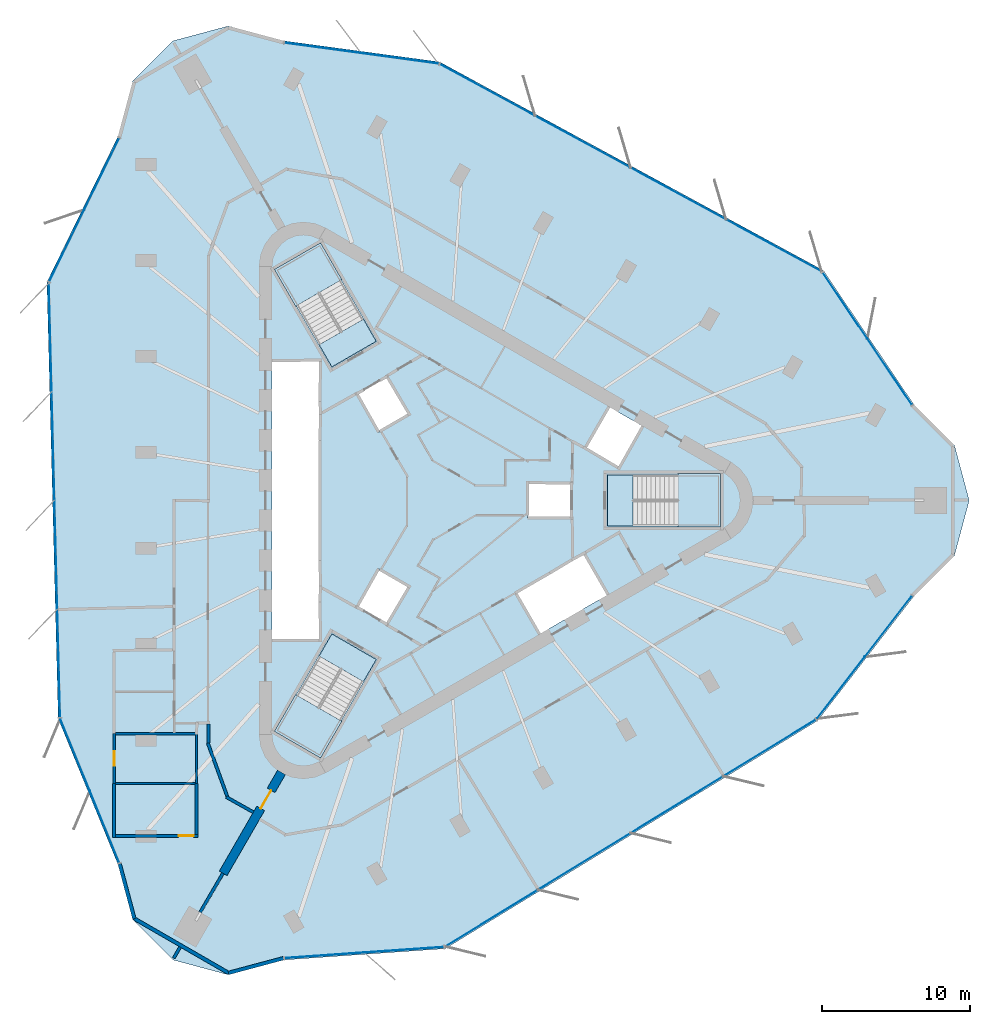
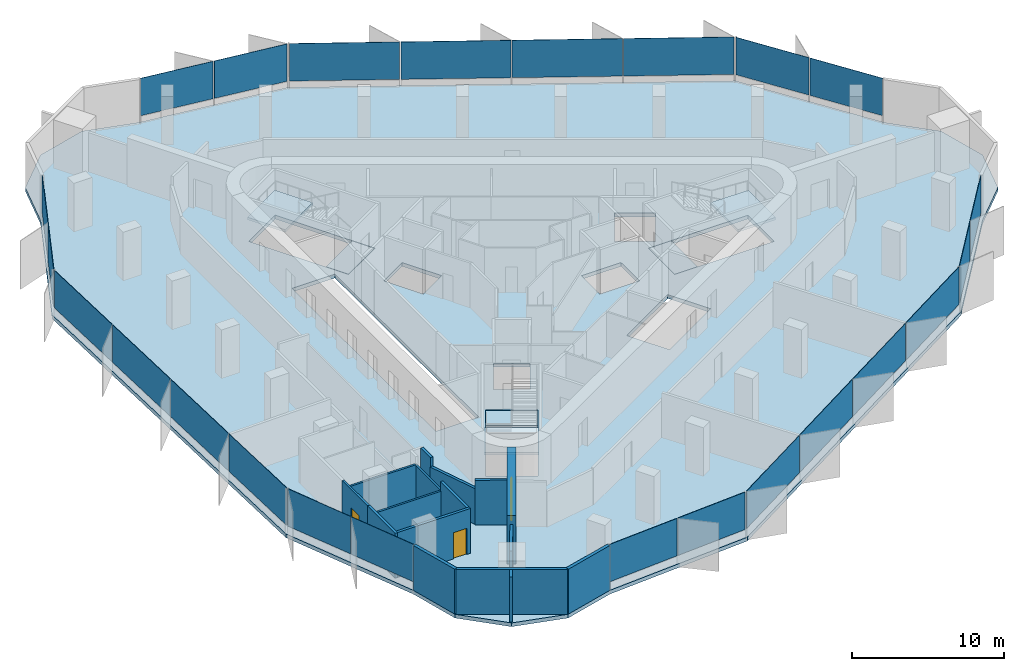
# One storey, part 6 of 12: 24 plates, 16 walls, 7 slabs, 3 doors, 3 openings, 12 elements without a shape of their own.
"""IFC4 building model written with IfcOpenShell, lengths in metres."""

from ifc_helpers import new_model, si_unit, direction, frame, frame_2d, origin, origin_2d, place, context, subcontext, project, spatial, polyline, rectangle, outline, extrude, material, layer, layer_set, type_object, element, fill, aggregate, save


model = new_model("IFC4")

# Units and contexts
model_context = context("Model", 3, precision=1e-05, world=origin(), true_north=direction((0.0, 1.0)))
body_context = subcontext(model_context, "Body", "Model", "MODEL_VIEW")
ifc_project = project(units=[si_unit("LENGTHUNIT", "METRE"), si_unit("AREAUNIT", "SQUARE_METRE"), si_unit("VOLUMEUNIT", "CUBIC_METRE"), si_unit("PLANEANGLEUNIT", "RADIAN"), si_unit("MASSUNIT", "GRAM", prefix="KILO")], contexts=[model_context])

# Site, building, storey
site_placement = place(None, origin())
site = spatial("IfcSite", under=ifc_project, at=site_placement, CompositionType="ELEMENT")
building_placement = place(site_placement, origin())
building = spatial("IfcBuilding", under=site, at=building_placement, Name="Tanit Gate Tower", CompositionType="ELEMENT")
storey_placement = place(building_placement, frame((0.0, 0.0, 345.5)))
storey = spatial("IfcBuildingStorey", under=building, at=storey_placement, Name="L78", CompositionType="ELEMENT", Elevation=345.5)

# Slab
ifc_material_1 = material(Name="Concrete C35/45", Category="concrete")
ifc_layer_1 = layer(ifc_material_1, 0.300048828125)
ifc_layer_set_1 = layer_set([ifc_layer_1], Name="FLOOR SLAB 300 C35/45")
slab_type_1 = type_object("IfcSlabType", Name="FLOOR SLAB 300 C35/45", PredefinedType="FLOOR", material=ifc_layer_set_1)
slab_1_placement = place(storey_placement, frame((0.0, 0.0, -0.300048828125)))
element("IfcSlab", 1, at=slab_1_placement, inside=storey, type_object=slab_type_1, Name="FLOOR SLAB L78", PredefinedType="FLOOR", context=body_context, shape_type="SweptSolid", body=[
    extrude(outline(polyline([(32.01708984375, 6.447021484375), (34.741943359375, 3.72216796875), (35.7392578125, 0.0), (34.741943359375, -3.72216796875), (32.01708984375, -6.447021484375), (25.5380859375, -14.828125), (0.45361328125, -30.19091796875), (-10.42529296875, -30.951171875), (-14.1474609375, -31.948486328125), (-17.86962890625, -30.951171875), (-20.594482421875, -28.226318359375), (-21.591796875, -24.50439453125), (-25.610595703125, -14.70263671875), (-26.373046875, 14.70263671875), (-21.591796875, 24.50439453125), (-20.594482421875, 28.226318359375), (-17.86962890625, 30.951171875), (-14.1474609375, 31.948486328125), (-10.42529296875, 30.951171875), (0.072509765625, 29.530517578125), (25.919189453125, 15.48828125), (32.01708984375, 6.447021484375)]), holes=[polyline([(11.3701171875, 1.72998046875), (18.929931640625, 1.72998046875), (18.929931640625, -1.72998046875), (11.3701171875, -1.72998046875), (11.3701171875, 1.72998046875)]), polyline([(12.158935546875, 2.159912109375), (9.82080078125, 3.510009765625), (11.44580078125, 6.324462890625), (13.783935546875, 4.974609375), (12.158935546875, 2.159912109375)]), polyline([(11.44580078125, -6.324462890625), (6.76904296875, -9.0244140625), (5.14404296875, -6.2099609375), (9.82080078125, -3.510009765625), (11.44580078125, -6.324462890625)]), polyline([(6.0, 1.199951171875), (9.0, 1.199951171875), (9.0, -1.199951171875), (6.0, -1.199951171875), (6.0, 1.199951171875)]), polyline([(-4.039306640625, 4.59619140625), (-5.539306640625, 7.194091796875), (-3.460693359375, 8.394287109375), (-1.960693359375, 5.796142578125), (-4.039306640625, 4.59619140625)]), polyline([(-1.960693359375, -5.796142578125), (-3.460693359375, -8.394287109375), (-5.539306640625, -7.194091796875), (-4.039306640625, -4.59619140625), (-1.960693359375, -5.796142578125)]), polyline([(-7.18310546875, 8.981689453125), (-10.963134765625, 15.52880859375), (-7.966796875, 17.2587890625), (-4.186767578125, 10.711669921875), (-7.18310546875, 8.981689453125)]), polyline([(-4.186767578125, -10.711669921875), (-7.966796875, -17.2587890625), (-10.963134765625, -15.52880859375), (-7.18310546875, -8.981689453125), (-4.186767578125, -10.711669921875)]), polyline([(-11.199951171875, -9.449951171875), (-11.199951171875, 9.449951171875), (-7.949951171875, 9.449951171875), (-7.949951171875, -9.449951171875), (-11.199951171875, -9.449951171875)])]), origin(), (0.0, 0.0, 1.0), 0.300048828125),
])

# Curtain wall, plates
ifc_material_2 = material(Name="Aluminium bronze anodised and glass", Category="aluminium")
curtain_wall_type = type_object("IfcCurtainWallType", Name="Curtain wall typical high", PredefinedType="NOTDEFINED", material=ifc_material_2)
curtain_wall_1_placement = place(storey_placement, origin())
curtain_wall_1 = element("IfcCurtainWall", 2, at=curtain_wall_1_placement, inside=storey, type_object=curtain_wall_type, Name="Curtain wall L78 NE1", PredefinedType="NOTDEFINED")
ifc_material_3 = material(Name="Glass tinted", Category="glass")
ifc_layer_2 = layer(ifc_material_3, 0.028076171875)
ifc_layer_set_2 = layer_set([ifc_layer_2], Name="Glass panel 28 typical high")
plate_type = type_object("IfcPlateType", Name="Glass panel 28 typical high", PredefinedType="CURTAIN_PANEL", material=ifc_layer_set_2)
plate_1_placement = place(storey_placement, frame((30.39111328125, 8.6435546875, 0.60009765625), z_axis=(0.0, 0.0, 1.0), x_axis=(-0.559147523084, 0.829068180206, 0.0)))
plate_1 = element("IfcPlate", 3, at=plate_1_placement, type_object=plate_type, Name="Glass panel L78 NE1.1", PredefinedType="CURTAIN_PANEL", context=body_context, shape_type="SweptSolid", body=[
    extrude(rectangle(XDim=5.323974609375, YDim=0.028076171875, at=origin_2d()), origin(), (0.0, 0.0, 1.0), 3.0),
])
plate_2_placement = place(storey_placement, frame((27.369384765625, 13.123779296875, 0.60009765625), z_axis=(0.0, 0.0, 1.0), x_axis=(-0.559147523084, 0.829068180206, 0.0)))
plate_2 = element("IfcPlate", 4, at=plate_2_placement, type_object=plate_type, Name="Glass panel L78 NE1.2", PredefinedType="CURTAIN_PANEL", context=body_context, shape_type="SweptSolid", body=[
    extrude(rectangle(XDim=5.323974609375, YDim=0.028076171875, at=origin_2d()), origin(), (0.0, 0.0, 1.0), 3.0),
])
aggregate(curtain_wall_1, [plate_1, plate_2])

curtain_wall_2_placement = place(storey_placement, origin())
curtain_wall_2 = element("IfcCurtainWall", 5, at=curtain_wall_2_placement, inside=storey, type_object=curtain_wall_type, Name="Curtain wall L78 NE2", PredefinedType="NOTDEFINED")
plate_3_placement = place(storey_placement, frame((22.584716796875, 17.16357421875, 0.60009765625), z_axis=(0.0, 0.0, 1.0), x_axis=(-0.87869633876, 0.477381131015, 0.0)))
plate_3 = element("IfcPlate", 6, at=plate_3_placement, type_object=plate_type, Name="Glass panel L78 NE2.1", PredefinedType="CURTAIN_PANEL", context=body_context, shape_type="SweptSolid", body=[
    extrude(rectangle(XDim=7.240966796875, YDim=0.028076171875, at=origin_2d()), origin(), (0.0, 0.0, 1.0), 3.0),
])
plate_4_placement = place(storey_placement, frame((16.15185546875, 20.658447265625, 0.60009765625), z_axis=(0.0, 0.0, 1.0), x_axis=(-0.87869633876, 0.477381131015, 0.0)))
plate_4 = element("IfcPlate", 7, at=plate_4_placement, type_object=plate_type, Name="Glass panel L78 NE2.2", PredefinedType="CURTAIN_PANEL", context=body_context, shape_type="SweptSolid", body=[
    extrude(rectangle(XDim=7.240966796875, YDim=0.028076171875, at=origin_2d()), origin(), (0.0, 0.0, 1.0), 3.0),
])
plate_5_placement = place(storey_placement, frame((9.718994140625, 24.1533203125, 0.60009765625), z_axis=(0.0, 0.0, 1.0), x_axis=(-0.87869633876, 0.477381131015, 0.0)))
plate_5 = element("IfcPlate", 8, at=plate_5_placement, type_object=plate_type, Name="Glass panel L78 NE2.3", PredefinedType="CURTAIN_PANEL", context=body_context, shape_type="SweptSolid", body=[
    extrude(rectangle(XDim=7.240966796875, YDim=0.028076171875, at=origin_2d()), origin(), (0.0, 0.0, 1.0), 3.0),
])
plate_6_placement = place(storey_placement, frame((3.2861328125, 27.648193359375, 0.60009765625), z_axis=(0.0, 0.0, 1.0), x_axis=(-0.87869633876, 0.477381131015, 0.0)))
plate_6 = element("IfcPlate", 9, at=plate_6_placement, type_object=plate_type, Name="Glass panel L78 NE2.4", PredefinedType="CURTAIN_PANEL", context=body_context, shape_type="SweptSolid", body=[
    extrude(rectangle(XDim=7.240966796875, YDim=0.028076171875, at=origin_2d()), origin(), (0.0, 0.0, 1.0), 3.0),
])
aggregate(curtain_wall_2, [plate_3, plate_4, plate_5, plate_6])

curtain_wall_3_placement = place(storey_placement, origin())
curtain_wall_3 = element("IfcCurtainWall", 10, at=curtain_wall_3_placement, inside=storey, type_object=curtain_wall_type, Name="Curtain wall L78 NE3", PredefinedType="NOTDEFINED")
plate_7_placement = place(storey_placement, frame((-2.606201171875, 29.77197265625, 0.60009765625), z_axis=(0.0, 0.0, 1.0), x_axis=(-0.990968554207, 0.134094461382, 0.0)))
plate_7 = element("IfcPlate", 11, at=plate_7_placement, type_object=plate_type, Name="Glass panel L78 NE3.1", PredefinedType="CURTAIN_PANEL", context=body_context, shape_type="SweptSolid", body=[
    extrude(rectangle(XDim=5.169677734375, YDim=0.028076171875, at=origin_2d()), origin(), (0.0, 0.0, 1.0), 3.0),
])
plate_8_placement = place(storey_placement, frame((-7.808349609375, 30.475830078125, 0.60009765625), z_axis=(0.0, 0.0, 1.0), x_axis=(-0.990968554207, 0.134094461382, 0.0)))
plate_8 = element("IfcPlate", 12, at=plate_8_placement, type_object=plate_type, Name="Glass panel L78 NE3.2", PredefinedType="CURTAIN_PANEL", context=body_context, shape_type="SweptSolid", body=[
    extrude(rectangle(XDim=5.169677734375, YDim=0.028076171875, at=origin_2d()), origin(), (0.0, 0.0, 1.0), 3.0),
])
aggregate(curtain_wall_3, [plate_7, plate_8])

curtain_wall_4_placement = place(storey_placement, origin())
curtain_wall_4 = element("IfcCurtainWall", 13, at=curtain_wall_4_placement, inside=storey, type_object=curtain_wall_type, Name="Curtain wall L78 W1", PredefinedType="NOTDEFINED")
plate_9_placement = place(storey_placement, frame((-22.680908203125, 21.99755859375, 0.60009765625), z_axis=(0.0, 0.0, 1.0), x_axis=(-0.438420343985, -0.898770049556, 0.0)))
plate_9 = element("IfcPlate", 14, at=plate_9_placement, type_object=plate_type, Name="Glass panel L78 W1.1", PredefinedType="CURTAIN_PANEL", context=body_context, shape_type="SweptSolid", body=[
    extrude(rectangle(XDim=5.323974609375, YDim=0.028076171875, at=origin_2d()), origin(), (0.0, 0.0, 1.0), 3.0),
])
plate_10_placement = place(storey_placement, frame((-25.05029296875, 17.140869140625, 0.60009765625), z_axis=(0.0, 0.0, 1.0), x_axis=(-0.438420343985, -0.898770049556, 0.0)))
plate_10 = element("IfcPlate", 15, at=plate_10_placement, type_object=plate_type, Name="Glass panel L78 W1.2", PredefinedType="CURTAIN_PANEL", context=body_context, shape_type="SweptSolid", body=[
    extrude(rectangle(XDim=5.323974609375, YDim=0.028076171875, at=origin_2d()), origin(), (0.0, 0.0, 1.0), 3.0),
])
aggregate(curtain_wall_4, [plate_9, plate_10])

curtain_wall_5_placement = place(storey_placement, origin())
curtain_wall_5 = element("IfcCurtainWall", 16, at=curtain_wall_5_placement, inside=storey, type_object=curtain_wall_type, Name="Curtain wall L78 W2", PredefinedType="NOTDEFINED")
plate_11_placement = place(storey_placement, frame((-26.156494140625, 10.97705078125, 0.60009765625), z_axis=(0.0, 0.0, 1.0), x_axis=(0.025923982634, -0.999663917086, 0.0)))
plate_11 = element("IfcPlate", 17, at=plate_11_placement, type_object=plate_type, Name="Glass panel L78 W2.1", PredefinedType="CURTAIN_PANEL", context=body_context, shape_type="SweptSolid", body=[
    extrude(rectangle(XDim=7.240966796875, YDim=0.028076171875, at=origin_2d()), origin(), (0.0, 0.0, 1.0), 3.0),
])
plate_12_placement = place(storey_placement, frame((-25.966552734375, 3.65869140625, 0.60009765625), z_axis=(0.0, 0.0, 1.0), x_axis=(0.025923982634, -0.999663917086, 0.0)))
plate_12 = element("IfcPlate", 18, at=plate_12_placement, type_object=plate_type, Name="Glass panel L78 W2.2", PredefinedType="CURTAIN_PANEL", context=body_context, shape_type="SweptSolid", body=[
    extrude(rectangle(XDim=7.240966796875, YDim=0.028076171875, at=origin_2d()), origin(), (0.0, 0.0, 1.0), 3.0),
])
plate_13_placement = place(storey_placement, frame((-25.77685546875, -3.65966796875, 0.60009765625), z_axis=(0.0, 0.0, 1.0), x_axis=(0.025923982634, -0.999663917086, 0.0)))
plate_13 = element("IfcPlate", 19, at=plate_13_placement, type_object=plate_type, Name="Glass panel L78 W2.3", PredefinedType="CURTAIN_PANEL", context=body_context, shape_type="SweptSolid", body=[
    extrude(rectangle(XDim=7.240966796875, YDim=0.028076171875, at=origin_2d()), origin(), (0.0, 0.0, 1.0), 3.0),
])
plate_14_placement = place(storey_placement, frame((-25.5869140625, -10.978271484375, 0.60009765625), z_axis=(0.0, 0.0, 1.0), x_axis=(0.025923982634, -0.999663917086, 0.0)))
plate_14 = element("IfcPlate", 20, at=plate_14_placement, type_object=plate_type, Name="Glass panel L78 W2.4", PredefinedType="CURTAIN_PANEL", context=body_context, shape_type="SweptSolid", body=[
    extrude(rectangle(XDim=7.240966796875, YDim=0.028076171875, at=origin_2d()), origin(), (0.0, 0.0, 1.0), 3.0),
])
aggregate(curtain_wall_5, [plate_11, plate_12, plate_13, plate_14])

curtain_wall_6_placement = place(storey_placement, origin())
curtain_wall_6 = element("IfcCurtainWall", 21, at=curtain_wall_6_placement, inside=storey, type_object=curtain_wall_type, Name="Curtain wall L78 W3", PredefinedType="NOTDEFINED")
plate_15_placement = place(storey_placement, frame((-24.480224609375, -17.14306640625, 0.60009765625), z_axis=(0.0, 0.0, 1.0), x_axis=(0.37935506704, -0.925251172986, 0.0)))
plate_15 = element("IfcPlate", 22, at=plate_15_placement, type_object=plate_type, Name="Glass panel L78 W3.1", PredefinedType="CURTAIN_PANEL", context=body_context, shape_type="SweptSolid", body=[
    extrude(rectangle(XDim=5.169677734375, YDim=0.028076171875, at=origin_2d()), origin(), (0.0, 0.0, 1.0), 3.0),
])
plate_16_placement = place(storey_placement, frame((-22.48876953125, -22.000244140625, 0.60009765625), z_axis=(0.0, 0.0, 1.0), x_axis=(0.37935506704, -0.925251172986, 0.0)))
plate_16 = element("IfcPlate", 23, at=plate_16_placement, type_object=plate_type, Name="Glass panel L78 W3.2", PredefinedType="CURTAIN_PANEL", context=body_context, shape_type="SweptSolid", body=[
    extrude(rectangle(XDim=5.169677734375, YDim=0.028076171875, at=origin_2d()), origin(), (0.0, 0.0, 1.0), 3.0),
])
aggregate(curtain_wall_6, [plate_15, plate_16])

curtain_wall_7_placement = place(storey_placement, origin())
curtain_wall_7 = element("IfcCurtainWall", 24, at=curtain_wall_7_placement, inside=storey, type_object=curtain_wall_type, Name="Curtain wall L78 SE1", PredefinedType="NOTDEFINED")
plate_17_placement = place(storey_placement, frame((-7.7099609375, -30.64111328125, 0.60009765625), z_axis=(0.0, 0.0, 1.0), x_axis=(0.997567867069, 0.069701869351, 0.0)))
plate_17 = element("IfcPlate", 25, at=plate_17_placement, type_object=plate_type, Name="Glass panel L78 SE1.1", PredefinedType="CURTAIN_PANEL", context=body_context, shape_type="SweptSolid", body=[
    extrude(rectangle(XDim=5.323974609375, YDim=0.028076171875, at=origin_2d()), origin(), (0.0, 0.0, 1.0), 3.0),
])
plate_18_placement = place(storey_placement, frame((-2.3193359375, -30.264404296875, 0.60009765625), z_axis=(0.0, 0.0, 1.0), x_axis=(0.997567867069, 0.069701869351, 0.0)))
plate_18 = element("IfcPlate", 26, at=plate_18_placement, type_object=plate_type, Name="Glass panel L78 SE1.2", PredefinedType="CURTAIN_PANEL", context=body_context, shape_type="SweptSolid", body=[
    extrude(rectangle(XDim=5.323974609375, YDim=0.028076171875, at=origin_2d()), origin(), (0.0, 0.0, 1.0), 3.0),
])
aggregate(curtain_wall_7, [plate_17, plate_18])

curtain_wall_8_placement = place(storey_placement, origin())
curtain_wall_8 = element("IfcCurtainWall", 27, at=curtain_wall_8_placement, inside=storey, type_object=curtain_wall_type, Name="Curtain wall L78 SE2", PredefinedType="NOTDEFINED")
plate_19_placement = place(storey_placement, frame((3.57177734375, -28.140625, 0.60009765625), z_axis=(0.0, 0.0, 1.0), x_axis=(0.852772356127, 0.522282786071, 0.0)))
plate_19 = element("IfcPlate", 28, at=plate_19_placement, type_object=plate_type, Name="Glass panel L78 SE2.1", PredefinedType="CURTAIN_PANEL", context=body_context, shape_type="SweptSolid", body=[
    extrude(rectangle(XDim=7.240966796875, YDim=0.028076171875, at=origin_2d()), origin(), (0.0, 0.0, 1.0), 3.0),
])
plate_20_placement = place(storey_placement, frame((9.814697265625, -24.317138671875, 0.60009765625), z_axis=(0.0, 0.0, 1.0), x_axis=(0.852772356127, 0.522282786071, 0.0)))
plate_20 = element("IfcPlate", 29, at=plate_20_placement, type_object=plate_type, Name="Glass panel L78 SE2.2", PredefinedType="CURTAIN_PANEL", context=body_context, shape_type="SweptSolid", body=[
    extrude(rectangle(XDim=7.240966796875, YDim=0.028076171875, at=origin_2d()), origin(), (0.0, 0.0, 1.0), 3.0),
])
plate_21_placement = place(storey_placement, frame((16.057861328125, -20.493408203125, 0.60009765625), z_axis=(0.0, 0.0, 1.0), x_axis=(0.852772356127, 0.522282786071, 0.0)))
plate_21 = element("IfcPlate", 30, at=plate_21_placement, type_object=plate_type, Name="Glass panel L78 SE2.3", PredefinedType="CURTAIN_PANEL", context=body_context, shape_type="SweptSolid", body=[
    extrude(rectangle(XDim=7.240966796875, YDim=0.028076171875, at=origin_2d()), origin(), (0.0, 0.0, 1.0), 3.0),
])
plate_22_placement = place(storey_placement, frame((22.301025390625, -16.669921875, 0.60009765625), z_axis=(0.0, 0.0, 1.0), x_axis=(0.852772356127, 0.522282786071, 0.0)))
plate_22 = element("IfcPlate", 31, at=plate_22_placement, type_object=plate_type, Name="Glass panel L78 SE2.4", PredefinedType="CURTAIN_PANEL", context=body_context, shape_type="SweptSolid", body=[
    extrude(rectangle(XDim=7.240966796875, YDim=0.028076171875, at=origin_2d()), origin(), (0.0, 0.0, 1.0), 3.0),
])
aggregate(curtain_wall_8, [plate_19, plate_20, plate_21, plate_22])

curtain_wall_9_placement = place(storey_placement, origin())
curtain_wall_9 = element("IfcCurtainWall", 32, at=curtain_wall_9_placement, inside=storey, type_object=curtain_wall_type, Name="Curtain wall L78 SE3", PredefinedType="NOTDEFINED")
plate_23_placement = place(storey_placement, frame((27.08642578125, -12.62890625, 0.60009765625), z_axis=(0.0, 0.0, 1.0), x_axis=(0.611613487167, 0.791156711604, 0.0)))
plate_23 = element("IfcPlate", 33, at=plate_23_placement, type_object=plate_type, Name="Glass panel L78 SE3.1", PredefinedType="CURTAIN_PANEL", context=body_context, shape_type="SweptSolid", body=[
    extrude(rectangle(XDim=5.169677734375, YDim=0.028076171875, at=origin_2d()), origin(), (0.0, 0.0, 1.0), 3.0),
])
plate_24_placement = place(storey_placement, frame((30.297119140625, -8.4755859375, 0.60009765625), z_axis=(0.0, 0.0, 1.0), x_axis=(0.611613487167, 0.791156711604, 0.0)))
plate_24 = element("IfcPlate", 34, at=plate_24_placement, type_object=plate_type, Name="Glass panel L78 SE3.2", PredefinedType="CURTAIN_PANEL", context=body_context, shape_type="SweptSolid", body=[
    extrude(rectangle(XDim=5.169677734375, YDim=0.028076171875, at=origin_2d()), origin(), (0.0, 0.0, 1.0), 3.0),
])
aggregate(curtain_wall_9, [plate_23, plate_24])

# Stair, slab
ifc_material_4 = material(Name="Concrete C40/50", Category="concrete")
stair_type = type_object("IfcStairType", Name="INT-STAIR-EXIT", PredefinedType="HALF_TURN_STAIR", material=ifc_material_4)
stair_1_placement = place(storey_placement, origin())
stair_1 = element("IfcStair", 35, at=stair_1_placement, inside=storey, type_object=stair_type, Name="L78 STAIR S1", PredefinedType="HALF_TURN_STAIR")
ifc_material_5 = material(Name="Concrete C40/50", Category="concrete")
ifc_layer_3 = layer(ifc_material_5, 0.199951171875)
ifc_layer_set_3 = layer_set([ifc_layer_3], Name="INT-STAIR-LANDING")
slab_type_2 = type_object("IfcSlabType", Name="INT-STAIR-LANDING", PredefinedType="LANDING", material=ifc_layer_set_3)
slab_2_placement = place(storey_placement, frame((0.0, 0.0, 1.75)))
slab_2 = element("IfcSlab", 36, at=slab_2_placement, type_object=slab_type_2, Name="S1 landing 1", PredefinedType="LANDING", context=body_context, shape_type="SweptSolid", body=[
    extrude(outline(polyline([(16.135986328125, -1.800048828125), (19.0, -1.800048828125), (19.0, 1.800048828125), (16.135986328125, 1.800048828125), (16.135986328125, -1.800048828125)])), origin(), (0.0, 0.0, 1.0), 0.199951171875),
])
aggregate(stair_1, [slab_2])

# Slab
slab_3_placement = place(storey_placement, frame((0.0, 0.0, -0.199951171875)))
element("IfcSlab", 37, at=slab_3_placement, inside=storey, type_object=slab_type_2, Name="S1 floor landing", PredefinedType="LANDING", context=body_context, shape_type="SweptSolid", body=[
    extrude(outline(polyline([(11.3798828125, -1.719970703125), (13.10498046875, -1.719970703125), (13.10498046875, 1.719970703125), (11.3798828125, 1.719970703125), (11.3798828125, -1.719970703125)])), origin(), (0.0, 0.0, 1.0), 0.199951171875),
])

# Stair, slab
stair_2_placement = place(storey_placement, origin())
stair_2 = element("IfcStair", 38, at=stair_2_placement, inside=storey, type_object=stair_type, Name="L78 STAIR S2", PredefinedType="HALF_TURN_STAIR")
slab_4_placement = place(storey_placement, frame((0.0, 0.0, 1.75)))
slab_4 = element("IfcSlab", 39, at=slab_4_placement, type_object=slab_type_2, Name="S2 landing 1", PredefinedType="LANDING", context=body_context, shape_type="SweptSolid", body=[
    extrude(outline(polyline([(-6.5078125, 14.871826171875), (-7.941162109375, 17.3544921875), (-11.058837890625, 15.554443359375), (-9.62548828125, 13.07177734375), (-6.5078125, 14.871826171875)])), origin(), (0.0, 0.0, 1.0), 0.199951171875),
])
aggregate(stair_2, [slab_4])

# Slab
slab_5_placement = place(storey_placement, frame((0.0, 0.0, -0.199951171875)))
element("IfcSlab", 40, at=slab_5_placement, inside=storey, type_object=slab_type_2, Name="S2 floor landing", PredefinedType="LANDING", context=body_context, shape_type="SweptSolid", body=[
    extrude(outline(polyline([(-4.200439453125, 10.71533203125), (-5.0625, 12.20849609375), (-8.04150390625, 10.48828125), (-7.179443359375, 8.995361328125), (-4.200439453125, 10.71533203125)])), origin(), (0.0, 0.0, 1.0), 0.199951171875),
])

# Stair, slab
stair_3_placement = place(storey_placement, origin())
stair_3 = element("IfcStair", 41, at=stair_3_placement, inside=storey, type_object=stair_type, Name="L78 STAIR S3", PredefinedType="HALF_TURN_STAIR")
slab_6_placement = place(storey_placement, frame((0.0, 0.0, 1.75)))
slab_6 = element("IfcSlab", 42, at=slab_6_placement, type_object=slab_type_2, Name="S3 landing 1", PredefinedType="LANDING", context=body_context, shape_type="SweptSolid", body=[
    extrude(outline(polyline([(-9.626953125, -13.07421875), (-11.058837890625, -15.554443359375), (-7.941162109375, -17.3544921875), (-6.509033203125, -14.874267578125), (-9.626953125, -13.07421875)])), origin(), (0.0, 0.0, 1.0), 0.199951171875),
])
aggregate(stair_3, [slab_6])

# Slab
slab_7_placement = place(storey_placement, frame((0.0, 0.0, -0.199951171875)))
element("IfcSlab", 43, at=slab_7_placement, inside=storey, type_object=slab_type_2, Name="S3 floor landing", PredefinedType="LANDING", context=body_context, shape_type="SweptSolid", body=[
    extrude(outline(polyline([(-7.179443359375, -8.995361328125), (-8.0419921875, -10.4892578125), (-5.06298828125, -12.209228515625), (-4.200439453125, -10.71533203125), (-7.179443359375, -8.995361328125)])), origin(), (0.0, 0.0, 1.0), 0.199951171875),
])

# Wall, opening, door
ifc_material_6 = material(Name="Concrete C40/50", Category="concrete")
ifc_layer_4 = layer(ifc_material_6, 0.60009765625)
ifc_layer_set_4 = layer_set([ifc_layer_4], Name="BUTTRESS FIN 600 C40/50")
wall_type_1 = type_object("IfcWallType", Name="BUTTRESS FIN 600 C40/50", PredefinedType="SHEAR", material=ifc_layer_set_4)
wall_1_placement = place(storey_placement, frame((-10.574951171875, -18.31640625, 0.0), z_axis=(0.0, 0.0, 1.0), x_axis=(-0.500010354293, -0.866019425648, 0.0)))
wall_1 = element("IfcWall", 44, at=wall_1_placement, inside=storey, type_object=wall_type_1, Name="BUTTRESS FIN", PredefinedType="SHEAR", context=body_context, shape_type="SweptSolid", body=[
    extrude(rectangle(XDim=7.854248046875, YDim=0.60009765625, at=frame_2d((3.92724609375, 0.0))), origin(), (0.0, 0.0, 1.0), 3.89990234375),
])
opening_1_placement = place(wall_1_placement, frame((1.39990234375, 0.0, 0.0)))
opening_1 = element("IfcOpeningElement", 45, at=opening_1_placement, cuts=wall_1, Name="Opening P14-S22-F-SW-1", PredefinedType="OPENING", context=body_context, shape_type="SweptSolid", body=[
    extrude(rectangle(XDim=1.39990234375, YDim=2.39990234375, at=frame_2d((0.699951171875, 1.199951171875))), frame((0.0, 0.31005859375, 0.0), z_axis=(0.0, -1.0, 0.0), x_axis=(1.0, 0.0, 0.0)), (0.0, 0.0, 1.0), 0.6201171875),
])
ifc_material_7 = material(Name="Timber door leaf", Category="wood")
door_type_1 = type_object("IfcDoorType", Name="INT-DOOR-FIN-PAIR-1400", OperationType="NOTDEFINED", PredefinedType="NOTDEFINED", material=ifc_material_7)
door_1_placement = place(opening_1_placement, origin())
door_1 = element("IfcDoor", 46, at=door_1_placement, inside=storey, type_object=door_type_1, Name="Door P14-S22-F-SW-1", OperationType="DOUBLE_DOOR_SINGLE_SWING", OverallHeight=2.39990234375, OverallWidth=1.39990234375, PredefinedType="NOTDEFINED", context=body_context, shape_type="SweptSolid", body=[
    extrude(rectangle(XDim=1.39990234375, YDim=2.39990234375, at=frame_2d((0.699951171875, 1.199951171875))), frame((0.0, 0.02490234375, 0.0), z_axis=(0.0, -1.0, 0.0), x_axis=(1.0, 0.0, 0.0)), (0.0, 0.0, 1.0), 0.050048828125),
])
fill(opening_1, door_1)

# Walls
ifc_material_8 = material(Name="Concrete C30/37 with bronze anodised aluminium cladding", Category="concrete")
ifc_layer_5 = layer(ifc_material_8, 0.239990234375)
ifc_layer_set_5 = layer_set([ifc_layer_5], Name="Facade wall bronze clad 240")
wall_type_2 = type_object("IfcWallType", Name="Facade wall bronze clad 240", PredefinedType="SOLIDWALL", material=ifc_layer_set_5)
wall_2_placement = place(storey_placement, frame((-21.477783203125, -24.4658203125, 0.0), z_axis=(0.0, 0.0, 1.0), x_axis=(0.258809388801, -0.965928413636, 0.0)))
element("IfcWall", 47, at=wall_2_placement, inside=storey, type_object=wall_type_2, Name="Bronze-clad facade wall L78 SW.arc1", PredefinedType="SOLIDWALL", context=body_context, shape_type="SweptSolid", body=[
    extrude(rectangle(XDim=3.828857421875, YDim=0.239990234375, at=frame_2d((1.91455078125, 0.0))), origin(), (0.0, 0.0, 1.0), 3.60009765625),
])
wall_3_placement = place(storey_placement, frame((-20.48681640625, -28.164306640625, 0.0), z_axis=(0.0, 0.0, 1.0), x_axis=(0.86603229387, -0.499988065832, 0.0)))
element("IfcWall", 48, at=wall_3_placement, inside=storey, type_object=wall_type_2, Name="Bronze-clad facade wall L78 SW.arc2", PredefinedType="SOLIDWALL", context=body_context, shape_type="SweptSolid", body=[
    extrude(rectangle(XDim=7.320068359375, YDim=0.239990234375, at=frame_2d((3.66015625, 0.0))), origin(), (0.0, 0.0, 1.0), 3.60009765625),
])
wall_4_placement = place(storey_placement, frame((-14.1474609375, -31.82421875, 0.0), z_axis=(0.0, 0.0, 1.0), x_axis=(0.965928717423, 0.258808255004, 0.0)))
element("IfcWall", 49, at=wall_4_placement, inside=storey, type_object=wall_type_2, Name="Bronze-clad facade wall L78 SW.arc3", PredefinedType="SOLIDWALL", context=body_context, shape_type="SweptSolid", body=[
    extrude(rectangle(XDim=3.832763671875, YDim=0.239990234375, at=frame_2d((1.91650390625, 0.0))), origin(), (0.0, 0.0, 1.0), 3.60009765625),
])
ifc_material_9 = material(Name="Fire-rated gypsum board partition")
ifc_layer_6 = layer(ifc_material_9, 0.199951171875)
ifc_layer_set_6 = layer_set([ifc_layer_6], Name="INT-WALL-COMPARTMENT")
wall_type_3 = type_object("IfcWallType", Name="INT-WALL-COMPARTMENT", PredefinedType="PARTITIONING", material=ifc_layer_set_6)
wall_5_placement = place(storey_placement, frame((-14.293212890625, -19.9775390625, 0.0), z_axis=(0.0, 0.0, 1.0), x_axis=(0.872510000486, -0.48859625362, 0.0)))
element("IfcWall", 50, at=wall_5_placement, inside=storey, type_object=wall_type_3, Name="Wall Compartment W099", PredefinedType="PARTITIONING", context=body_context, shape_type="SweptSolid", body=[
    extrude(rectangle(XDim=2.089599609375, YDim=0.199951171875, at=frame_2d((1.044921875, 0.0))), origin(), (0.0, 0.0, 1.0), 3.60009765625),
])
wall_6_placement = place(storey_placement, frame((-15.5341796875, -16.346435546875, 0.0), z_axis=(0.0, 0.0, 1.0), x_axis=(0.342001008711, -0.939699584996, 0.0)))
element("IfcWall", 51, at=wall_6_placement, inside=storey, type_object=wall_type_3, Name="Wall Compartment W100", PredefinedType="PARTITIONING", context=body_context, shape_type="SweptSolid", body=[
    extrude(rectangle(XDim=3.87548828125, YDim=0.199951171875, at=frame_2d((1.937744140625, 0.0))), origin(), (0.0, 0.0, 1.0), 2.8798828125),
])
wall_7_placement = place(storey_placement, frame((-15.5, -15.070068359375, 0.0), z_axis=(0.0, 0.0, 1.0), x_axis=(0.0, -1.0, 0.0)))
element("IfcWall", 52, at=wall_7_placement, inside=storey, type_object=wall_type_3, Name="Wall Compartment W101", PredefinedType="PARTITIONING", context=body_context, shape_type="SweptSolid", body=[
    extrude(rectangle(XDim=1.2705078125, YDim=0.199951171875, at=frame_2d((0.63525390625, 0.0))), origin(), (0.0, 0.0, 1.0), 3.60009765625),
])
wall_8_placement = place(storey_placement, frame((-17.403076171875, -30.083251953125, 0.0), z_axis=(0.0, 0.0, 1.0), x_axis=(-0.500234662275, -0.86588987906, 0.0)))
element("IfcWall", 53, at=wall_8_placement, inside=storey, type_object=wall_type_3, Name="Wall Compartment W118", PredefinedType="PARTITIONING", context=body_context, shape_type="SweptSolid", body=[
    extrude(rectangle(XDim=0.8525390625, YDim=0.199951171875, at=frame_2d((0.42626953125, 0.0))), origin(), (0.0, 0.0, 1.0), 3.60009765625),
])
wall_9_placement = place(storey_placement, frame((-14.517578125, -25.109619140625, 0.0), z_axis=(0.0, 0.0, 1.0), x_axis=(-0.503475856709, -0.864009294922, 0.0)))
element("IfcWall", 54, at=wall_9_placement, inside=storey, type_object=wall_type_3, Name="Wall Compartment W119", PredefinedType="PARTITIONING", context=body_context, shape_type="SweptSolid", body=[
    extrude(rectangle(XDim=3.03515625, YDim=0.199951171875, at=frame_2d((1.517578125, 0.0))), origin(), (0.0, 0.0, 1.0), 3.169921875),
])
wall_10_placement = place(storey_placement, frame((-21.840087890625, -22.68994140625, 0.0), z_axis=(0.0, 0.0, 1.0), x_axis=(0.0, 1.0, 0.0)))
element("IfcWall", 55, at=wall_10_placement, inside=storey, type_object=wall_type_3, Name="Wall Compartment W126", PredefinedType="PARTITIONING", context=body_context, shape_type="SweptSolid", body=[
    extrude(rectangle(XDim=3.637939453125, YDim=0.199951171875, at=frame_2d((1.81884765625, 0.0))), origin(), (0.0, 0.0, 1.0), 3.60009765625),
])

# Wall, opening, door
wall_11_placement = place(storey_placement, frame((-21.739990234375, -22.590087890625, 0.0), z_axis=(0.0, 0.0, 1.0), x_axis=(1.0, 0.0, 0.0)))
wall_11 = element("IfcWall", 56, at=wall_11_placement, inside=storey, type_object=wall_type_3, Name="Wall Compartment W127", PredefinedType="PARTITIONING", context=body_context, shape_type="SweptSolid", body=[
    extrude(rectangle(XDim=5.5400390625, YDim=0.199951171875, at=frame_2d((2.77001953125, 0.0))), origin(), (0.0, 0.0, 1.0), 3.60009765625),
])
opening_2_placement = place(wall_11_placement, frame((4.239990234375, 0.0, 0.0)))
opening_2 = element("IfcOpeningElement", 57, at=opening_2_placement, cuts=wall_11, Name="Opening F10-S22-25", PredefinedType="OPENING", context=body_context, shape_type="SweptSolid", body=[
    extrude(rectangle(XDim=1.0, YDim=2.10009765625, at=frame_2d((0.5, 1.050048828125))), frame((0.0, 0.10986328125, 0.0), z_axis=(0.0, -1.0, 0.0), x_axis=(1.0, 0.0, 0.0)), (0.0, 0.0, 1.0), 0.219970703125),
])
ifc_material_10 = material(Name="Fire-rated steel door leaf", Category="steel")
door_type_2 = type_object("IfcDoorType", Name="INT-DOOR-FIRE-1000", OperationType="NOTDEFINED", PredefinedType="USERDEFINED", material=ifc_material_10)
door_2_placement = place(opening_2_placement, origin())
door_2 = element("IfcDoor", 58, at=door_2_placement, inside=storey, type_object=door_type_2, Name="Door F10-S22-25", ObjectType="FIRE DOOR", OperationType="SINGLE_SWING_RIGHT", OverallHeight=2.10009765625, OverallWidth=1.0, PredefinedType="USERDEFINED", context=body_context, shape_type="SweptSolid", body=[
    extrude(rectangle(XDim=1.0, YDim=2.10009765625, at=frame_2d((0.5, 1.050048828125))), frame((0.0, 0.02490234375, 0.0), z_axis=(0.0, -1.0, 0.0), x_axis=(1.0, 0.0, 0.0)), (0.0, 0.0, 1.0), 0.050048828125),
])
fill(opening_2, door_2)

# Wall
wall_12_placement = place(storey_placement, frame((-16.300048828125, -22.489990234375, 0.0), z_axis=(0.0, 0.0, 1.0), x_axis=(0.0, 1.0, 0.0)))
element("IfcWall", 59, at=wall_12_placement, inside=storey, type_object=wall_type_3, Name="Wall Compartment W128", PredefinedType="PARTITIONING", context=body_context, shape_type="SweptSolid", body=[
    extrude(rectangle(XDim=3.43798828125, YDim=0.199951171875, at=frame_2d((1.718994140625, 0.0))), origin(), (0.0, 0.0, 1.0), 3.60009765625),
])

# Wall, opening, door
ifc_material_11 = material(Name="Fire-rated gypsum board partition")
ifc_layer_7 = layer(ifc_material_11, 0.14990234375)
ifc_layer_set_7 = layer_set([ifc_layer_7], Name="INT-WALL-RISER")
wall_type_4 = type_object("IfcWallType", Name="INT-WALL-RISER", PredefinedType="PLUMBINGWALL", material=ifc_layer_set_7)
wall_13_placement = place(storey_placement, frame((-21.840087890625, -19.052001953125, 0.0), z_axis=(0.0, 0.0, 1.0), x_axis=(0.0, 1.0, 0.0)))
wall_13 = element("IfcWall", 60, at=wall_13_placement, inside=storey, type_object=wall_type_4, Name="Wall Riser W124", PredefinedType="PLUMBINGWALL", context=body_context, shape_type="SweptSolid", body=[
    extrude(rectangle(XDim=3.34765625, YDim=0.14990234375, at=frame_2d((1.673828125, 0.0))), origin(), (0.0, 0.0, 1.0), 3.60009765625),
])
opening_3_placement = place(wall_13_placement, frame((1.170166015625, 0.0, 0.0)))
opening_3 = element("IfcOpeningElement", 61, at=opening_3_placement, cuts=wall_13, Name="Opening F10-S22-24", PredefinedType="OPENING", context=body_context, shape_type="SweptSolid", body=[
    extrude(rectangle(XDim=1.0, YDim=2.10009765625, at=frame_2d((0.5, 1.050048828125))), frame((0.0, 0.0849609375, 0.0), z_axis=(0.0, -1.0, 0.0), x_axis=(1.0, 0.0, 0.0)), (0.0, 0.0, 1.0), 0.169921875),
])
door_3_placement = place(opening_3_placement, origin())
door_3 = element("IfcDoor", 62, at=door_3_placement, inside=storey, type_object=door_type_2, Name="Door F10-S22-24", ObjectType="FIRE DOOR", OperationType="SINGLE_SWING_LEFT", OverallHeight=2.10009765625, OverallWidth=1.0, PredefinedType="USERDEFINED", context=body_context, shape_type="SweptSolid", body=[
    extrude(rectangle(XDim=1.0, YDim=2.10009765625, at=frame_2d((0.5, 1.050048828125))), frame((0.0, 0.02490234375, 0.0), z_axis=(0.0, -1.0, 0.0), x_axis=(1.0, 0.0, 0.0)), (0.0, 0.0, 1.0), 0.050048828125),
])
fill(opening_3, door_3)

# Walls
wall_14_placement = place(storey_placement, frame((-16.300048828125, -19.052001953125, 0.0), z_axis=(0.0, 0.0, 1.0), x_axis=(0.0, 1.0, 0.0)))
element("IfcWall", 63, at=wall_14_placement, inside=storey, type_object=wall_type_4, Name="Wall Riser W125", PredefinedType="PLUMBINGWALL", context=body_context, shape_type="SweptSolid", body=[
    extrude(rectangle(XDim=3.415283203125, YDim=0.14990234375, at=frame_2d((1.70751953125, 0.0))), origin(), (0.0, 0.0, 1.0), 2.8798828125),
])
wall_15_placement = place(storey_placement, frame((-16.375, -15.711669921875, 0.0), z_axis=(0.0, 0.0, 1.0), x_axis=(-1.0, 0.0, 0.0)))
element("IfcWall", 64, at=wall_15_placement, inside=storey, type_object=wall_type_4, Name="Wall Riser W136", PredefinedType="PLUMBINGWALL", context=body_context, shape_type="SweptSolid", body=[
    extrude(rectangle(XDim=5.364990234375, YDim=0.14990234375, at=frame_2d((2.6826171875, 0.0))), origin(), (0.0, 0.0, 1.0), 2.969970703125),
])
wall_16_placement = place(storey_placement, frame((-16.375, -19.0595703125, 0.0), z_axis=(0.0, 0.0, 1.0), x_axis=(-1.0, 0.0, 0.0)))
element("IfcWall", 65, at=wall_16_placement, inside=storey, type_object=wall_type_4, Name="Wall Riser W137", PredefinedType="PLUMBINGWALL", context=body_context, shape_type="SweptSolid", body=[
    extrude(rectangle(XDim=5.389892578125, YDim=0.14990234375, at=frame_2d((2.69482421875, 0.0))), origin(), (0.0, 0.0, 1.0), 2.8798828125),
])

save(model, "model.ifc")
